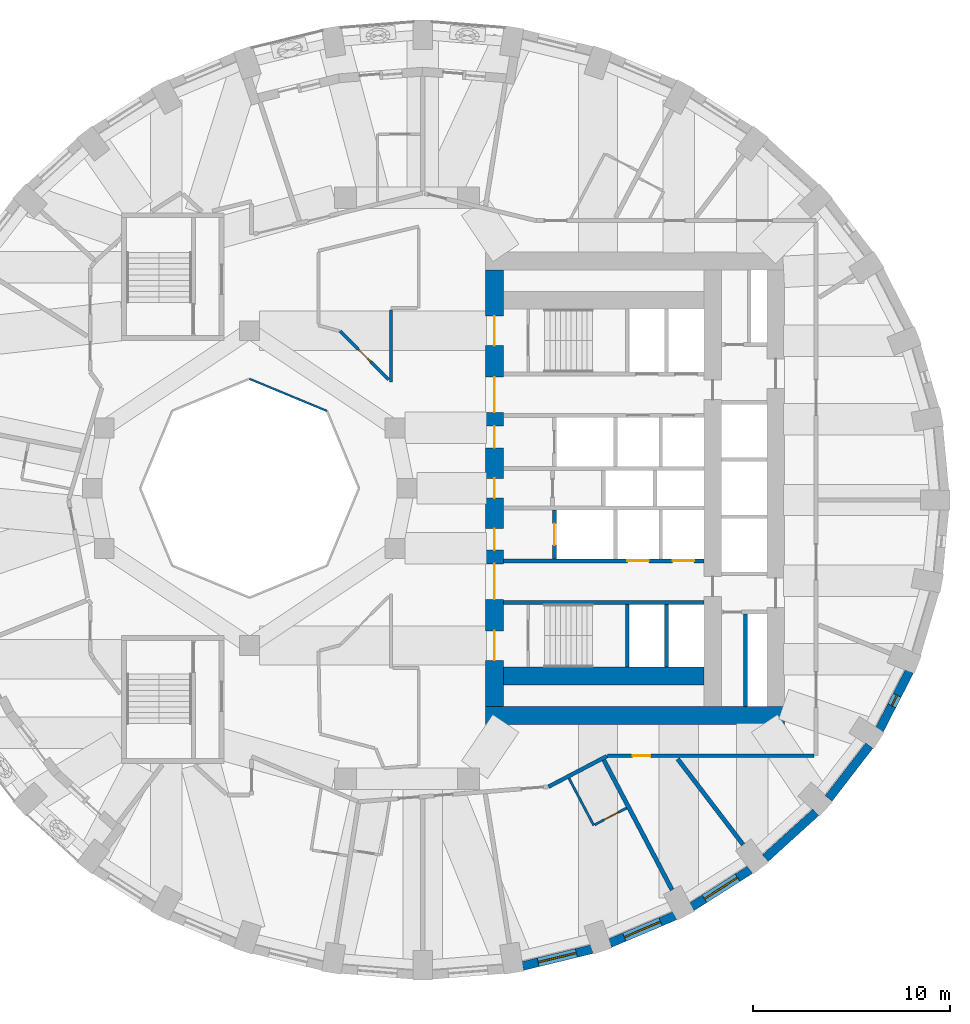
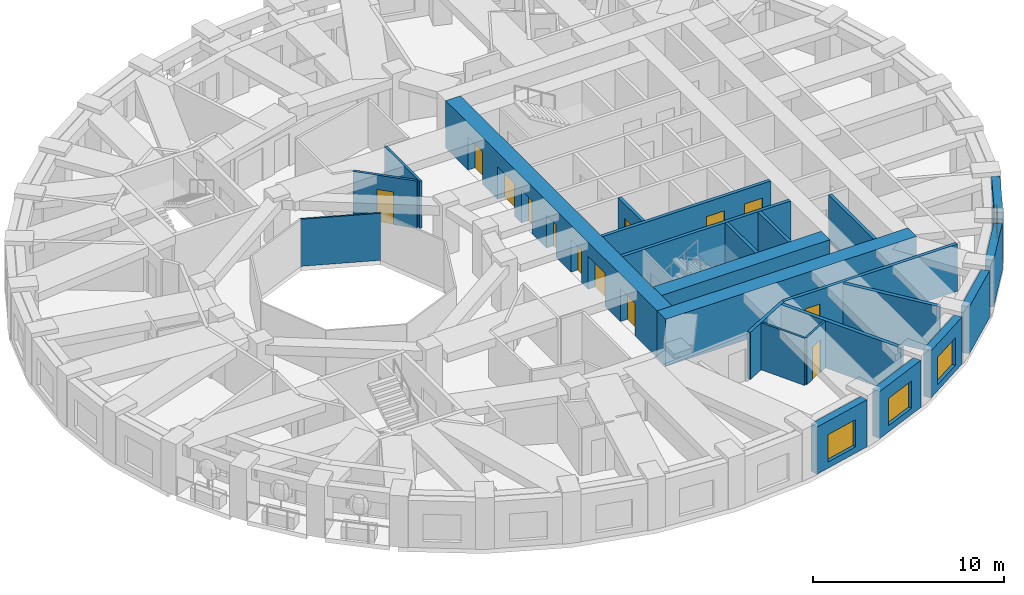
# One storey, part 5 of 12: 24 walls, 13 doors, 4 windows, 17 openings.
"""IFC4 building model written with IfcOpenShell, lengths in metres."""

from ifc_helpers import new_model, si_unit, direction, frame, frame_2d, origin, place, context, subcontext, project, spatial, rectangle, extrude, material, layer, layer_set, type_object, element, fill, save


model = new_model("IFC4")

# Units and contexts
model_context = context("Model", 3, precision=1e-05, world=origin(), true_north=direction((0.0, 1.0)))
body_context = subcontext(model_context, "Body", "Model", "MODEL_VIEW")
ifc_project = project(units=[si_unit("LENGTHUNIT", "METRE"), si_unit("AREAUNIT", "SQUARE_METRE"), si_unit("VOLUMEUNIT", "CUBIC_METRE"), si_unit("PLANEANGLEUNIT", "RADIAN"), si_unit("MASSUNIT", "GRAM", prefix="KILO")], contexts=[model_context])

# Site, building, storey
site_placement = place(None, origin())
site = spatial("IfcSite", under=ifc_project, at=site_placement, CompositionType="ELEMENT")
building_placement = place(site_placement, origin())
building = spatial("IfcBuilding", under=site, at=building_placement, Name="Taillehof Tower", CompositionType="ELEMENT")
storey_placement = place(building_placement, frame((0.0, 0.0, 95.5)))
storey = spatial("IfcBuildingStorey", under=building, at=storey_placement, Name="L26", CompositionType="ELEMENT", Elevation=95.5)

# Wall
ifc_material_1 = material(Name="Fire-resisting glass in steel frame", Category="steel")
ifc_layer_1 = layer(ifc_material_1, 0.10009765625)
ifc_layer_set_1 = layer_set([ifc_layer_1], Name="Atrium fire-resisting screen EI 60 100")
wall_type_1 = type_object("IfcWallType", Name="Atrium fire-resisting screen EI 60 100", PredefinedType="PARTITIONING", material=ifc_layer_set_1)
wall_1_placement = place(storey_placement, frame((-8.0, 5.55419921875, 0.0), z_axis=(0.0, 0.0, 1.0), x_axis=(0.923860025149, -0.382730523909, 0.0)))
element("IfcWall", 1, at=wall_1_placement, inside=storey, type_object=wall_type_1, Name="Atrium screen", PredefinedType="PARTITIONING", context=body_context, shape_type="SweptSolid", body=[
    extrude(rectangle(XDim=4.2509765625, YDim=0.10009765625, at=frame_2d((2.12548828125, 0.0))), origin(), (0.0, 0.0, 1.0), 3.02001953125),
])

# Wall, opening, window
ifc_material_2 = material(Name="Brick masonry", Category="masonry")
ifc_layer_2 = layer(ifc_material_2, 0.449951171875)
ifc_layer_set_2 = layer_set([ifc_layer_2], Name="Brick infill wall 450")
wall_type_2 = type_object("IfcWallType", Name="Brick infill wall 450", PredefinedType="SOLIDWALL", material=ifc_layer_set_2)
wall_2_placement = place(storey_placement, frame((5.87451171875, -24.29443359375, 0.0), z_axis=(0.0, 0.0, 1.0), x_axis=(0.971667603162, 0.236351579148, 0.0)))
wall_2 = element("IfcWall", 2, at=wall_2_placement, inside=storey, type_object=wall_type_2, Name="Brick wall L26 bay 29", PredefinedType="SOLIDWALL", context=body_context, shape_type="SweptSolid", body=[
    extrude(rectangle(XDim=3.635009765625, YDim=0.449951171875, at=frame_2d((1.8173828125, 0.0))), origin(), (0.0, 0.0, 1.0), 3.02001953125),
])
opening_1_placement = place(wall_2_placement, frame((0.8173828125, 0.0, 0.39990234375)))
opening_1 = element("IfcOpeningElement", 3, at=opening_1_placement, cuts=wall_2, Name="Opening W2", PredefinedType="OPENING", context=body_context, shape_type="SweptSolid", body=[
    extrude(rectangle(XDim=2.0, YDim=1.75, at=frame_2d((1.0, 0.875))), frame((0.0, 0.23486328125, 0.0), z_axis=(0.0, -1.0, 0.0), x_axis=(1.0, 0.0, 0.0)), (0.0, 0.0, 1.0), 0.469970703125),
])
ifc_material_3 = material(Name="Aluminium window frame with clear double glazing", Category="aluminium")
window_type_1 = type_object("IfcWindowType", Name="Deep-set window 2000x1750", PartitioningType="SINGLE_PANEL", PredefinedType="WINDOW", material=ifc_material_3)
window_1_placement = place(opening_1_placement, origin())
window_1 = element("IfcWindow", 4, at=window_1_placement, inside=storey, type_object=window_type_1, Name="W2", OverallHeight=1.75, OverallWidth=2.0, PartitioningType="SINGLE_PANEL", PredefinedType="WINDOW", context=body_context, shape_type="SweptSolid", body=[
    extrude(rectangle(XDim=2.0, YDim=1.75, at=frame_2d((1.0, 0.875))), frame((0.0, 0.034912109375, 0.0), z_axis=(0.0, -1.0, 0.0), x_axis=(1.0, 0.0, 0.0)), (0.0, 0.0, 1.0), 0.06005859375),
])
fill(opening_1, window_1)

wall_3_placement = place(storey_placement, frame((10.318115234375, -23.133544921875, 0.0), z_axis=(0.0, 0.0, 1.0), x_axis=(0.920869643542, 0.389870619055, 0.0)))
wall_3 = element("IfcWall", 5, at=wall_3_placement, inside=storey, type_object=wall_type_2, Name="Brick wall L26 bay 30", PredefinedType="SOLIDWALL", context=body_context, shape_type="SweptSolid", body=[
    extrude(rectangle(XDim=3.59130859375, YDim=0.449951171875, at=frame_2d((1.795654296875, 0.0))), origin(), (0.0, 0.0, 1.0), 3.02001953125),
])
opening_2_placement = place(wall_3_placement, frame((0.795654296875, 0.0, 0.39990234375)))
opening_2 = element("IfcOpeningElement", 6, at=opening_2_placement, cuts=wall_3, Name="Opening W2", PredefinedType="OPENING", context=body_context, shape_type="SweptSolid", body=[
    extrude(rectangle(XDim=2.0, YDim=1.75, at=frame_2d((1.0, 0.875))), frame((0.0, 0.23486328125, 0.0), z_axis=(0.0, -1.0, 0.0), x_axis=(1.0, 0.0, 0.0)), (0.0, 0.0, 1.0), 0.469970703125),
])
window_2_placement = place(opening_2_placement, origin())
window_2 = element("IfcWindow", 7, at=window_2_placement, inside=storey, type_object=window_type_1, Name="W2", OverallHeight=1.75, OverallWidth=2.0, PartitioningType="SINGLE_PANEL", PredefinedType="WINDOW", context=body_context, shape_type="SweptSolid", body=[
    extrude(rectangle(XDim=2.0, YDim=1.75, at=frame_2d((1.0, 0.875))), frame((0.0, 0.034912109375, 0.0), z_axis=(0.0, -1.0, 0.0), x_axis=(1.0, 0.0, 0.0)), (0.0, 0.0, 1.0), 0.06005859375),
])
fill(opening_2, window_2)

wall_4_placement = place(storey_placement, frame((14.475341796875, -21.287109375, 0.0), z_axis=(0.0, 0.0, 1.0), x_axis=(0.843911841423, 0.536481876587, 0.0)))
wall_4 = element("IfcWall", 8, at=wall_4_placement, inside=storey, type_object=wall_type_2, Name="Brick wall L26 bay 31", PredefinedType="SOLIDWALL", context=body_context, shape_type="SweptSolid", body=[
    extrude(rectangle(XDim=3.5322265625, YDim=0.449951171875, at=frame_2d((1.76611328125, 0.0))), origin(), (0.0, 0.0, 1.0), 3.02001953125),
])
opening_3_placement = place(wall_4_placement, frame((0.76611328125, 0.0, 0.39990234375)))
opening_3 = element("IfcOpeningElement", 9, at=opening_3_placement, cuts=wall_4, Name="Opening W2", PredefinedType="OPENING", context=body_context, shape_type="SweptSolid", body=[
    extrude(rectangle(XDim=2.0, YDim=1.75, at=frame_2d((1.0, 0.875))), frame((0.0, 0.23486328125, 0.0), z_axis=(0.0, -1.0, 0.0), x_axis=(1.0, 0.0, 0.0)), (0.0, 0.0, 1.0), 0.469970703125),
])
window_3_placement = place(opening_3_placement, origin())
window_3 = element("IfcWindow", 10, at=window_3_placement, inside=storey, type_object=window_type_1, Name="W2", OverallHeight=1.75, OverallWidth=2.0, PartitioningType="SINGLE_PANEL", PredefinedType="WINDOW", context=body_context, shape_type="SweptSolid", body=[
    extrude(rectangle(XDim=2.0, YDim=1.75, at=frame_2d((1.0, 0.875))), frame((0.0, 0.034912109375, 0.0), z_axis=(0.0, -1.0, 0.0), x_axis=(1.0, 0.0, 0.0)), (0.0, 0.0, 1.0), 0.06005859375),
])
fill(opening_3, window_3)

# Walls
wall_5_placement = place(storey_placement, frame((18.219482421875, -18.8095703125, 0.0), z_axis=(0.0, 0.0, 1.0), x_axis=(0.740364106106, 0.672206062446, 0.0)))
element("IfcWall", 11, at=wall_5_placement, inside=storey, type_object=wall_type_2, Name="Brick wall L26 bay 32", PredefinedType="SOLIDWALL", context=body_context, shape_type="SweptSolid", body=[
    extrude(rectangle(XDim=3.4638671875, YDim=0.449951171875, at=frame_2d((1.73193359375, 0.0))), origin(), (0.0, 0.0, 1.0), 3.02001953125),
])
wall_6_placement = place(storey_placement, frame((21.43505859375, -15.775390625, 0.0), z_axis=(0.0, 0.0, 1.0), x_axis=(0.610693945156, 0.791866721961, 0.0)))
element("IfcWall", 12, at=wall_6_placement, inside=storey, type_object=wall_type_2, Name="Brick wall L26 bay 33", PredefinedType="SOLIDWALL", context=body_context, shape_type="SweptSolid", body=[
    extrude(rectangle(XDim=3.39453125, YDim=0.449951171875, at=frame_2d((1.697265625, 0.0))), origin(), (0.0, 0.0, 1.0), 3.02001953125),
])

# Wall, opening, window
wall_7_placement = place(storey_placement, frame((24.022705078125, -12.27685546875, 0.0), z_axis=(0.0, 0.0, 1.0), x_axis=(0.456828186229, 0.889554949549, 0.0)))
wall_7 = element("IfcWall", 13, at=wall_7_placement, inside=storey, type_object=wall_type_2, Name="Brick wall L26 bay 34", PredefinedType="SOLIDWALL", context=body_context, shape_type="SweptSolid", body=[
    extrude(rectangle(XDim=3.332763671875, YDim=0.449951171875, at=frame_2d((1.66650390625, 0.0))), origin(), (0.0, 0.0, 1.0), 3.02001953125),
])
opening_4_placement = place(wall_7_placement, frame((1.366455078125, 0.0, 0.39990234375)))
opening_4 = element("IfcOpeningElement", 14, at=opening_4_placement, cuts=wall_7, Name="Opening W6", PredefinedType="OPENING", context=body_context, shape_type="SweptSolid", body=[
    extrude(rectangle(XDim=0.60009765625, YDim=1.75, at=frame_2d((0.300048828125, 0.875))), frame((0.0, 0.23486328125, 0.0), z_axis=(0.0, -1.0, 0.0), x_axis=(1.0, 0.0, 0.0)), (0.0, 0.0, 1.0), 0.469970703125),
])
ifc_material_4 = material(Name="Aluminium window frame with clear double glazing", Category="aluminium")
window_type_2 = type_object("IfcWindowType", Name="Slot window 600x1750", PartitioningType="SINGLE_PANEL", PredefinedType="WINDOW", material=ifc_material_4)
window_4_placement = place(opening_4_placement, origin())
window_4 = element("IfcWindow", 15, at=window_4_placement, inside=storey, type_object=window_type_2, Name="W6", OverallHeight=1.75, OverallWidth=0.60009765625, PartitioningType="SINGLE_PANEL", PredefinedType="WINDOW", context=body_context, shape_type="SweptSolid", body=[
    extrude(rectangle(XDim=0.60009765625, YDim=1.75, at=frame_2d((0.300048828125, 0.875))), frame((0.0, 0.034912109375, 0.0), z_axis=(0.0, -1.0, 0.0), x_axis=(1.0, 0.0, 0.0)), (0.0, 0.0, 1.0), 0.06005859375),
])
fill(opening_4, window_4)

# Wall
ifc_material_5 = material(Name="Calcium silicate masonry", Category="masonry")
ifc_layer_3 = layer(ifc_material_5, 0.199951171875)
ifc_layer_set_3 = layer_set([ifc_layer_3], Name="Compartment wall calcium silicate 200")
wall_type_3 = type_object("IfcWallType", Name="Compartment wall calcium silicate 200", PredefinedType="PARTITIONING", material=ifc_layer_set_3)
wall_8_placement = place(storey_placement, frame((17.199951171875, -11.10009765625, 0.0), z_axis=(0.0, 0.0, 1.0), x_axis=(0.0, 1.0, 0.0)))
element("IfcWall", 16, at=wall_8_placement, inside=storey, type_object=wall_type_3, Name="Compartment wall FW", PredefinedType="PARTITIONING", context=body_context, shape_type="SweptSolid", body=[
    extrude(rectangle(XDim=4.7001953125, YDim=0.199951171875, at=frame_2d((2.35009765625, 0.0))), origin(), (0.0, 0.0, 1.0), 3.02001953125),
])

# Wall, opening, door
ifc_material_6 = material(Name="Gypsum board on steel studs, two layers each side", Category="steel")
ifc_layer_4 = layer(ifc_material_6, 0.199951171875)
ifc_layer_set_4 = layer_set([ifc_layer_4], Name="Compartment wall corridor 200")
wall_type_4 = type_object("IfcWallType", Name="Compartment wall corridor 200", PredefinedType="PARTITIONING", material=ifc_layer_set_4)
wall_9_placement = place(storey_placement, frame((20.699951171875, -13.60009765625, 0.0), z_axis=(0.0, 0.0, 1.0), x_axis=(-1.0, 0.0, 0.0)))
wall_9 = element("IfcWall", 17, at=wall_9_placement, inside=storey, type_object=wall_type_4, Name="Compartment wall", PredefinedType="PARTITIONING", context=body_context, shape_type="SweptSolid", body=[
    extrude(rectangle(XDim=10.49755859375, YDim=0.199951171875, at=frame_2d((5.248779296875, 0.0))), origin(), (0.0, 0.0, 1.0), 3.02001953125),
])
opening_5_placement = place(wall_9_placement, frame((8.32470703125, 0.0, 0.0)))
opening_5 = element("IfcOpeningElement", 18, at=opening_5_placement, cuts=wall_9, Name="Opening D2660", PredefinedType="OPENING", context=body_context, shape_type="SweptSolid", body=[
    extrude(rectangle(XDim=0.89990234375, YDim=2.10009765625, at=frame_2d((0.449951171875, 1.050048828125))), frame((0.0, 0.10986328125, 0.0), z_axis=(0.0, -1.0, 0.0), x_axis=(1.0, 0.0, 0.0)), (0.0, 0.0, 1.0), 0.219970703125),
])
ifc_material_7 = material(Name="Timber door leaf in steel frame", Category="steel")
door_type_1 = type_object("IfcDoorType", Name="Service room door EI 30 900 x 2100", OperationType="SINGLE_SWING_LEFT", PredefinedType="DOOR", material=ifc_material_7)
door_1_placement = place(opening_5_placement, origin())
door_1 = element("IfcDoor", 19, at=door_1_placement, inside=storey, type_object=door_type_1, Name="D2660", OperationType="SINGLE_SWING_RIGHT", OverallHeight=2.10009765625, OverallWidth=0.89990234375, PredefinedType="DOOR", context=body_context, shape_type="SweptSolid", body=[
    extrude(rectangle(XDim=0.89990234375, YDim=2.10009765625, at=frame_2d((0.449951171875, 1.050048828125))), frame((0.0, 0.02490234375, 0.0), z_axis=(0.0, -1.0, 0.0), x_axis=(1.0, 0.0, 0.0)), (0.0, 0.0, 1.0), 0.050048828125),
])
fill(opening_5, door_1)

# Walls
wall_10_placement = place(storey_placement, frame((10.166748046875, -13.61865234375, 0.0), z_axis=(0.0, 0.0, 1.0), x_axis=(-0.885637584774, -0.4643770757, 0.0)))
element("IfcWall", 20, at=wall_10_placement, inside=storey, type_object=wall_type_4, Name="Compartment wall", PredefinedType="PARTITIONING", context=body_context, shape_type="SweptSolid", body=[
    extrude(rectangle(XDim=3.35205078125, YDim=0.199951171875, at=frame_2d((1.676025390625, 0.0))), origin(), (0.0, 0.0, 1.0), 3.02001953125),
])
ifc_material_8 = material(Name="Gypsum board on double steel studs with mineral wool", Category="steel")
ifc_layer_5 = layer(ifc_material_8, 0.219970703125)
ifc_layer_set_5 = layer_set([ifc_layer_5], Name="Compartment wall guest room 220")
wall_type_5 = type_object("IfcWallType", Name="Compartment wall guest room 220", PredefinedType="PARTITIONING", material=ifc_layer_set_5)
wall_11_placement = place(storey_placement, frame((13.47607421875, -20.417724609375, 0.0), z_axis=(0.0, 0.0, 1.0), x_axis=(-0.465295750937, 0.885155276864, 0.0)))
element("IfcWall", 21, at=wall_11_placement, inside=storey, type_object=wall_type_5, Name="Compartment wall", PredefinedType="PARTITIONING", context=body_context, shape_type="SweptSolid", body=[
    extrude(rectangle(XDim=7.4580078125, YDim=0.219970703125, at=frame_2d((3.72900390625, 0.0))), origin(), (0.0, 0.0, 1.0), 3.02001953125),
])
wall_12_placement = place(storey_placement, frame((17.08935546875, -18.120849609375, 0.0), z_axis=(0.0, 0.0, 1.0), x_axis=(-0.607064955951, 0.794652212767, 0.0)))
element("IfcWall", 22, at=wall_12_placement, inside=storey, type_object=wall_type_5, Name="Compartment wall", PredefinedType="PARTITIONING", context=body_context, shape_type="SweptSolid", body=[
    extrude(rectangle(XDim=5.483154296875, YDim=0.219970703125, at=frame_2d((2.74169921875, 0.0))), origin(), (0.0, 0.0, 1.0), 3.02001953125),
])
ifc_material_9 = material(Name="Gypsum board on steel studs, two layers each side", Category="steel")
ifc_layer_6 = layer(ifc_material_9, 0.14990234375)
ifc_layer_set_6 = layer_set([ifc_layer_6], Name="Compartment wall service room 150")
wall_type_6 = type_object("IfcWallType", Name="Compartment wall service room 150", PredefinedType="PARTITIONING", material=ifc_layer_set_6)
wall_13_placement = place(storey_placement, frame((-0.800048828125, 9.06982421875, 0.0), z_axis=(0.0, 0.0, 1.0), x_axis=(0.0, -1.0, 0.0)))
element("IfcWall", 23, at=wall_13_placement, inside=storey, type_object=wall_type_6, Name="Compartment wall", PredefinedType="PARTITIONING", context=body_context, shape_type="SweptSolid", body=[
    extrude(rectangle(XDim=3.683349609375, YDim=0.14990234375, at=frame_2d((1.841796875, 0.0))), origin(), (0.0, 0.0, 1.0), 3.02001953125),
])

# Wall, opening, door
wall_14_placement = place(storey_placement, frame((-0.927490234375, 5.513916015625, 0.0), z_axis=(0.0, 0.0, 1.0), x_axis=(-0.707106781187, 0.707106781187, 0.0)))
wall_14 = element("IfcWall", 24, at=wall_14_placement, inside=storey, type_object=wall_type_6, Name="Compartment wall", PredefinedType="PARTITIONING", context=body_context, shape_type="SweptSolid", body=[
    extrude(rectangle(XDim=3.48681640625, YDim=0.14990234375, at=frame_2d((1.743408203125, 0.0))), origin(), (0.0, 0.0, 1.0), 3.02001953125),
])
opening_6_placement = place(wall_14_placement, frame((1.29345703125, 0.0, 0.0)))
opening_6 = element("IfcOpeningElement", 25, at=opening_6_placement, cuts=wall_14, Name="Opening D2665", PredefinedType="OPENING", context=body_context, shape_type="SweptSolid", body=[
    extrude(rectangle(XDim=0.89990234375, YDim=2.10009765625, at=frame_2d((0.449951171875, 1.050048828125))), frame((0.0, 0.0849609375, 0.0), z_axis=(0.0, -1.0, 0.0), x_axis=(1.0, 0.0, 0.0)), (0.0, 0.0, 1.0), 0.169921875),
])
door_2_placement = place(opening_6_placement, origin())
door_2 = element("IfcDoor", 26, at=door_2_placement, inside=storey, type_object=door_type_1, Name="D2665", OperationType="SINGLE_SWING_RIGHT", OverallHeight=2.10009765625, OverallWidth=0.89990234375, PredefinedType="DOOR", context=body_context, shape_type="SweptSolid", body=[
    extrude(rectangle(XDim=0.89990234375, YDim=2.10009765625, at=frame_2d((0.449951171875, 1.050048828125))), frame((0.0, 0.02490234375, 0.0), z_axis=(0.0, -1.0, 0.0), x_axis=(1.0, 0.0, 0.0)), (0.0, 0.0, 1.0), 0.050048828125),
])
fill(opening_6, door_2)

# Wall, openings, doors
ifc_material_10 = material(Name="Concrete C80/95", Category="concrete")
ifc_layer_7 = layer(ifc_material_10, 0.89990234375)
ifc_layer_set_7 = layer_set([ifc_layer_7], Name="Core wall C80/95 900")
wall_type_7 = type_object("IfcWallType", Name="Core wall C80/95 900", PredefinedType="SHEAR", material=ifc_layer_set_7)
wall_15_placement = place(storey_placement, frame((4.449951171875, -11.10009765625, 0.0), z_axis=(0.0, 0.0, 1.0), x_axis=(0.0, 1.0, 0.0)))
wall_15 = element("IfcWall", 27, at=wall_15_placement, inside=storey, type_object=wall_type_7, Name="Core wall CW01", PredefinedType="SHEAR", context=body_context, shape_type="SweptSolid", body=[
    extrude(rectangle(XDim=22.2001953125, YDim=0.89990234375, at=frame_2d((11.10009765625, 0.0))), origin(), (0.0, 0.0, 1.0), 3.02001953125),
])
opening_7_placement = place(wall_15_placement, frame((2.35009765625, 0.0, 0.0)))
opening_7 = element("IfcOpeningElement", 28, at=opening_7_placement, cuts=wall_15, Name="Opening D2601", PredefinedType="OPENING", context=body_context, shape_type="SweptSolid", body=[
    extrude(rectangle(XDim=1.5, YDim=2.10009765625, at=frame_2d((0.75, 1.050048828125))), frame((0.0, 0.4599609375, 0.0), z_axis=(0.0, -1.0, 0.0), x_axis=(1.0, 0.0, 0.0)), (0.0, 0.0, 1.0), 0.919921875),
])
opening_8_placement = place(wall_15_placement, frame((5.449951171875, 0.0, 0.0)))
opening_8 = element("IfcOpeningElement", 29, at=opening_8_placement, cuts=wall_15, Name="Opening D2602", PredefinedType="OPENING", context=body_context, shape_type="SweptSolid", body=[
    extrude(rectangle(XDim=1.800048828125, YDim=2.10009765625, at=frame_2d((0.89990234375, 1.050048828125))), frame((0.0, 0.4599609375, 0.0), z_axis=(0.0, -1.0, 0.0), x_axis=(1.0, 0.0, 0.0)), (0.0, 0.0, 1.0), 0.919921875),
])
opening_9_placement = place(wall_15_placement, frame((7.949951171875, 0.0, 0.0)))
opening_9 = element("IfcOpeningElement", 30, at=opening_9_placement, cuts=wall_15, Name="Opening D2603", PredefinedType="OPENING", context=body_context, shape_type="SweptSolid", body=[
    extrude(rectangle(XDim=1.10009765625, YDim=2.10009765625, at=frame_2d((0.550048828125, 1.050048828125))), frame((0.0, 0.4599609375, 0.0), z_axis=(0.0, -1.0, 0.0), x_axis=(1.0, 0.0, 0.0)), (0.0, 0.0, 1.0), 0.919921875),
])
opening_10_placement = place(wall_15_placement, frame((10.60009765625, 0.0, 0.0)))
opening_10 = element("IfcOpeningElement", 31, at=opening_10_placement, cuts=wall_15, Name="Opening D2604", PredefinedType="OPENING", context=body_context, shape_type="SweptSolid", body=[
    extrude(rectangle(XDim=1.0, YDim=2.10009765625, at=frame_2d((0.5, 1.050048828125))), frame((0.0, 0.4599609375, 0.0), z_axis=(0.0, -1.0, 0.0), x_axis=(1.0, 0.0, 0.0)), (0.0, 0.0, 1.0), 0.919921875),
])
opening_11_placement = place(wall_15_placement, frame((13.14990234375, 0.0, 0.0)))
opening_11 = element("IfcOpeningElement", 32, at=opening_11_placement, cuts=wall_15, Name="Opening D2605", PredefinedType="OPENING", context=body_context, shape_type="SweptSolid", body=[
    extrude(rectangle(XDim=1.10009765625, YDim=2.10009765625, at=frame_2d((0.550048828125, 1.050048828125))), frame((0.0, 0.4599609375, 0.0), z_axis=(0.0, -1.0, 0.0), x_axis=(1.0, 0.0, 0.0)), (0.0, 0.0, 1.0), 0.919921875),
])
opening_12_placement = place(wall_15_placement, frame((14.949951171875, 0.0, 0.0)))
opening_12 = element("IfcOpeningElement", 33, at=opening_12_placement, cuts=wall_15, Name="Opening D2606", PredefinedType="OPENING", context=body_context, shape_type="SweptSolid", body=[
    extrude(rectangle(XDim=1.800048828125, YDim=2.10009765625, at=frame_2d((0.89990234375, 1.050048828125))), frame((0.0, 0.4599609375, 0.0), z_axis=(0.0, -1.0, 0.0), x_axis=(1.0, 0.0, 0.0)), (0.0, 0.0, 1.0), 0.919921875),
])
opening_13_placement = place(wall_15_placement, frame((18.35009765625, 0.0, 0.0)))
opening_13 = element("IfcOpeningElement", 34, at=opening_13_placement, cuts=wall_15, Name="Opening D2607", PredefinedType="OPENING", context=body_context, shape_type="SweptSolid", body=[
    extrude(rectangle(XDim=1.5, YDim=2.10009765625, at=frame_2d((0.75, 1.050048828125))), frame((0.0, 0.4599609375, 0.0), z_axis=(0.0, -1.0, 0.0), x_axis=(1.0, 0.0, 0.0)), (0.0, 0.0, 1.0), 0.919921875),
])
ifc_material_11 = material(Name="Steel-faced fire door", Category="steel")
door_type_2 = type_object("IfcDoorType", Name="Firefighting lobby door 1100x2100", OperationType="SINGLE_SWING_RIGHT", PredefinedType="DOOR", material=ifc_material_11)
door_3_placement = place(opening_9_placement, origin())
door_3 = element("IfcDoor", 35, at=door_3_placement, inside=storey, type_object=door_type_2, Name="Firefighting lobby door FFL-S", OperationType="SINGLE_SWING_RIGHT", OverallHeight=2.10009765625, OverallWidth=1.10009765625, PredefinedType="DOOR", context=body_context, shape_type="SweptSolid", body=[
    extrude(rectangle(XDim=1.10009765625, YDim=2.10009765625, at=frame_2d((0.550048828125, 1.050048828125))), frame((0.0, 0.02490234375, 0.0), z_axis=(0.0, -1.0, 0.0), x_axis=(1.0, 0.0, 0.0)), (0.0, 0.0, 1.0), 0.050048828125),
])
fill(opening_9, door_3)
door_4_placement = place(opening_11_placement, origin())
door_4 = element("IfcDoor", 36, at=door_4_placement, inside=storey, type_object=door_type_2, Name="Firefighting lobby door FFL-N", OperationType="SINGLE_SWING_LEFT", OverallHeight=2.10009765625, OverallWidth=1.10009765625, PredefinedType="DOOR", context=body_context, shape_type="SweptSolid", body=[
    extrude(rectangle(XDim=1.10009765625, YDim=2.10009765625, at=frame_2d((0.550048828125, 1.050048828125))), frame((0.0, 0.02490234375, 0.0), z_axis=(0.0, -1.0, 0.0), x_axis=(1.0, 0.0, 0.0)), (0.0, 0.0, 1.0), 0.050048828125),
])
fill(opening_11, door_4)
ifc_material_12 = material(Name="Steel-faced fire door", Category="steel")
door_type_3 = type_object("IfcDoorType", Name="Lift lobby door 1800x2100", OperationType="DOUBLE_DOOR_SINGLE_SWING", PredefinedType="DOOR", material=ifc_material_12)
door_5_placement = place(opening_8_placement, origin())
door_5 = element("IfcDoor", 37, at=door_5_placement, inside=storey, type_object=door_type_3, Name="Lift lobby door LL-S", OperationType="DOUBLE_DOOR_SINGLE_SWING", OverallHeight=2.10009765625, OverallWidth=1.800048828125, PredefinedType="DOOR", context=body_context, shape_type="SweptSolid", body=[
    extrude(rectangle(XDim=1.800048828125, YDim=2.10009765625, at=frame_2d((0.89990234375, 1.050048828125))), frame((0.0, 0.02490234375, 0.0), z_axis=(0.0, -1.0, 0.0), x_axis=(1.0, 0.0, 0.0)), (0.0, 0.0, 1.0), 0.050048828125),
])
fill(opening_8, door_5)
door_6_placement = place(opening_12_placement, origin())
door_6 = element("IfcDoor", 38, at=door_6_placement, inside=storey, type_object=door_type_3, Name="Lift lobby door LL-N", OperationType="DOUBLE_DOOR_SINGLE_SWING", OverallHeight=2.10009765625, OverallWidth=1.800048828125, PredefinedType="DOOR", context=body_context, shape_type="SweptSolid", body=[
    extrude(rectangle(XDim=1.800048828125, YDim=2.10009765625, at=frame_2d((0.89990234375, 1.050048828125))), frame((0.0, 0.02490234375, 0.0), z_axis=(0.0, -1.0, 0.0), x_axis=(1.0, 0.0, 0.0)), (0.0, 0.0, 1.0), 0.050048828125),
])
fill(opening_12, door_6)
ifc_material_13 = material(Name="Steel-faced fire door", Category="steel")
door_type_4 = type_object("IfcDoorType", Name="Service door 1000x2100", OperationType="SINGLE_SWING_RIGHT", PredefinedType="DOOR", material=ifc_material_13)
door_7_placement = place(opening_10_placement, origin())
door_7 = element("IfcDoor", 39, at=door_7_placement, inside=storey, type_object=door_type_4, Name="Service door SV", OperationType="SINGLE_SWING_RIGHT", OverallHeight=2.10009765625, OverallWidth=1.0, PredefinedType="DOOR", context=body_context, shape_type="SweptSolid", body=[
    extrude(rectangle(XDim=1.0, YDim=2.10009765625, at=frame_2d((0.5, 1.050048828125))), frame((0.0, 0.02490234375, 0.0), z_axis=(0.0, -1.0, 0.0), x_axis=(1.0, 0.0, 0.0)), (0.0, 0.0, 1.0), 0.050048828125),
])
fill(opening_10, door_7)
ifc_material_14 = material(Name="Steel-faced fire door", Category="steel")
door_type_5 = type_object("IfcDoorType", Name="Stair door 1500x2100", OperationType="DOUBLE_DOOR_SINGLE_SWING", PredefinedType="DOOR", material=ifc_material_14)
door_8_placement = place(opening_7_placement, origin())
door_8 = element("IfcDoor", 40, at=door_8_placement, inside=storey, type_object=door_type_5, Name="Stair door S2", OperationType="DOUBLE_DOOR_SINGLE_SWING", OverallHeight=2.10009765625, OverallWidth=1.5, PredefinedType="DOOR", context=body_context, shape_type="SweptSolid", body=[
    extrude(rectangle(XDim=1.5, YDim=2.10009765625, at=frame_2d((0.75, 1.050048828125))), frame((0.0, 0.02490234375, 0.0), z_axis=(0.0, -1.0, 0.0), x_axis=(1.0, 0.0, 0.0)), (0.0, 0.0, 1.0), 0.050048828125),
])
fill(opening_7, door_8)
door_9_placement = place(opening_13_placement, origin())
door_9 = element("IfcDoor", 41, at=door_9_placement, inside=storey, type_object=door_type_5, Name="Stair door S1", OperationType="DOUBLE_DOOR_SINGLE_SWING", OverallHeight=2.10009765625, OverallWidth=1.5, PredefinedType="DOOR", context=body_context, shape_type="SweptSolid", body=[
    extrude(rectangle(XDim=1.5, YDim=2.10009765625, at=frame_2d((0.75, 1.050048828125))), frame((0.0, 0.02490234375, 0.0), z_axis=(0.0, -1.0, 0.0), x_axis=(1.0, 0.0, 0.0)), (0.0, 0.0, 1.0), 0.050048828125),
])
fill(opening_13, door_9)

# Walls
wall_16_placement = place(storey_placement, frame((4.0, -11.550048828125, 0.0), z_axis=(0.0, 0.0, 1.0), x_axis=(1.0, 0.0, 0.0)))
element("IfcWall", 42, at=wall_16_placement, inside=storey, type_object=wall_type_7, Name="Core wall CW04", PredefinedType="SHEAR", context=body_context, shape_type="SweptSolid", body=[
    extrude(rectangle(XDim=15.199951171875, YDim=0.89990234375, at=frame_2d((7.60009765625, 0.0))), origin(), (0.0, 0.0, 1.0), 3.02001953125),
])
wall_17_placement = place(storey_placement, frame((4.89990234375, -9.550048828125, 0.0), z_axis=(0.0, 0.0, 1.0), x_axis=(1.0, 0.0, 0.0)))
element("IfcWall", 43, at=wall_17_placement, inside=storey, type_object=wall_type_7, Name="Core wall CW07", PredefinedType="SHEAR", context=body_context, shape_type="SweptSolid", body=[
    extrude(rectangle(XDim=10.2001953125, YDim=0.89990234375, at=frame_2d((5.10009765625, 0.0))), origin(), (0.0, 0.0, 1.0), 3.02001953125),
])
ifc_material_15 = material(Name="Gypsum board on steel studs, moisture resistant", Category="steel")
ifc_layer_8 = layer(ifc_material_15, 0.1201171875)
ifc_layer_set_8 = layer_set([ifc_layer_8], Name="En-suite wall 120")
wall_type_8 = type_object("IfcWallType", Name="En-suite wall 120", PredefinedType="PARTITIONING", material=ifc_layer_set_8)
wall_18_placement = place(storey_placement, frame((8.234619140625, -14.744873046875, 0.0), z_axis=(0.0, 0.0, 1.0), x_axis=(0.46526594455, -0.885170944418, 0.0)))
element("IfcWall", 44, at=wall_18_placement, inside=storey, type_object=wall_type_8, Name="En-suite wall", PredefinedType="PARTITIONING", context=body_context, shape_type="SweptSolid", body=[
    extrude(rectangle(XDim=2.701904296875, YDim=0.1201171875, at=frame_2d((1.35107421875, 0.0))), origin(), (0.0, 0.0, 1.0), 3.02001953125),
])

# Wall, opening, door
wall_19_placement = place(storey_placement, frame((9.544921875, -17.108642578125, 0.0), z_axis=(0.0, 0.0, 1.0), x_axis=(0.885143836671, 0.465317513536, 0.0)))
wall_19 = element("IfcWall", 45, at=wall_19_placement, inside=storey, type_object=wall_type_8, Name="En-suite wall", PredefinedType="PARTITIONING", context=body_context, shape_type="SweptSolid", body=[
    extrude(rectangle(XDim=1.830078125, YDim=0.1201171875, at=frame_2d((0.9150390625, 0.0))), origin(), (0.0, 0.0, 1.0), 3.02001953125),
])
opening_14_placement = place(wall_19_placement, frame((0.5400390625, 0.0, 0.0)))
opening_14 = element("IfcOpeningElement", 46, at=opening_14_placement, cuts=wall_19, Name="Opening D2659", PredefinedType="OPENING", context=body_context, shape_type="SweptSolid", body=[
    extrude(rectangle(XDim=0.800048828125, YDim=2.10009765625, at=frame_2d((0.39990234375, 1.050048828125))), frame((0.0, 0.070068359375, 0.0), z_axis=(0.0, -1.0, 0.0), x_axis=(1.0, 0.0, 0.0)), (0.0, 0.0, 1.0), 0.14013671875),
])
ifc_material_16 = material(Name="Timber door leaf in steel frame", Category="steel")
door_type_6 = type_object("IfcDoorType", Name="En-suite door 800 x 2100", OperationType="SINGLE_SWING_LEFT", PredefinedType="DOOR", material=ifc_material_16)
door_10_placement = place(opening_14_placement, origin())
door_10 = element("IfcDoor", 47, at=door_10_placement, inside=storey, type_object=door_type_6, Name="D2659", OperationType="SINGLE_SWING_LEFT", OverallHeight=2.10009765625, OverallWidth=0.800048828125, PredefinedType="DOOR", context=body_context, shape_type="SweptSolid", body=[
    extrude(rectangle(XDim=0.800048828125, YDim=2.10009765625, at=frame_2d((0.39990234375, 1.050048828125))), frame((0.0, 0.02490234375, 0.0), z_axis=(0.0, -1.0, 0.0), x_axis=(1.0, 0.0, 0.0)), (0.0, 0.0, 1.0), 0.050048828125),
])
fill(opening_14, door_10)

# Wall, openings, doors
ifc_material_17 = material(Name="Concrete C50/60", Category="concrete")
ifc_layer_9 = layer(ifc_material_17, 0.199951171875)
ifc_layer_set_9 = layer_set([ifc_layer_9], Name="Shaft wall C50/60 200")
wall_type_9 = type_object("IfcWallType", Name="Shaft wall C50/60 200", PredefinedType="SHEAR", material=ifc_layer_set_9)
wall_20_placement = place(storey_placement, frame((4.89990234375, -3.699951171875, 0.0), z_axis=(0.0, 0.0, 1.0), x_axis=(1.0, 0.0, 0.0)))
wall_20 = element("IfcWall", 48, at=wall_20_placement, inside=storey, type_object=wall_type_9, Name="Shaft wall SW", PredefinedType="SHEAR", context=body_context, shape_type="SweptSolid", body=[
    extrude(rectangle(XDim=10.2001953125, YDim=0.199951171875, at=frame_2d((5.10009765625, 0.0))), origin(), (0.0, 0.0, 1.0), 3.02001953125),
])
opening_15_placement = place(wall_20_placement, frame((6.300048828125, 0.0, 0.0)))
opening_15 = element("IfcOpeningElement", 49, at=opening_15_placement, cuts=wall_20, Name="Opening LD1", PredefinedType="OPENING", context=body_context, shape_type="SweptSolid", body=[
    extrude(rectangle(XDim=1.10009765625, YDim=2.10009765625, at=frame_2d((0.550048828125, 1.050048828125))), frame((0.0, 0.10986328125, 0.0), z_axis=(0.0, -1.0, 0.0), x_axis=(1.0, 0.0, 0.0)), (0.0, 0.0, 1.0), 0.219970703125),
])
opening_16_placement = place(wall_20_placement, frame((8.60009765625, 0.0, 0.0)))
opening_16 = element("IfcOpeningElement", 50, at=opening_16_placement, cuts=wall_20, Name="Opening LD1", PredefinedType="OPENING", context=body_context, shape_type="SweptSolid", body=[
    extrude(rectangle(XDim=1.10009765625, YDim=2.10009765625, at=frame_2d((0.550048828125, 1.050048828125))), frame((0.0, 0.10986328125, 0.0), z_axis=(0.0, -1.0, 0.0), x_axis=(1.0, 0.0, 0.0)), (0.0, 0.0, 1.0), 0.219970703125),
])
ifc_material_18 = material(Name="Stainless steel", Category="steel")
door_type_7 = type_object("IfcDoorType", Name="Lift landing door LD1 1100x2100", OperationType="DOUBLE_DOOR_SLIDING", PredefinedType="DOOR", material=ifc_material_18)
door_11_placement = place(opening_15_placement, origin())
door_11 = element("IfcDoor", 51, at=door_11_placement, inside=storey, type_object=door_type_7, Name="Landing door LR5", OperationType="DOUBLE_DOOR_SLIDING", OverallHeight=2.10009765625, OverallWidth=1.10009765625, PredefinedType="DOOR", context=body_context, shape_type="SweptSolid", body=[
    extrude(rectangle(XDim=1.10009765625, YDim=2.10009765625, at=frame_2d((0.550048828125, 1.050048828125))), frame((0.0, 0.02490234375, 0.0), z_axis=(0.0, -1.0, 0.0), x_axis=(1.0, 0.0, 0.0)), (0.0, 0.0, 1.0), 0.050048828125),
])
fill(opening_15, door_11)
door_12_placement = place(opening_16_placement, origin())
door_12 = element("IfcDoor", 52, at=door_12_placement, inside=storey, type_object=door_type_7, Name="Landing door LR6", OperationType="DOUBLE_DOOR_SLIDING", OverallHeight=2.10009765625, OverallWidth=1.10009765625, PredefinedType="DOOR", context=body_context, shape_type="SweptSolid", body=[
    extrude(rectangle(XDim=1.10009765625, YDim=2.10009765625, at=frame_2d((0.550048828125, 1.050048828125))), frame((0.0, 0.02490234375, 0.0), z_axis=(0.0, -1.0, 0.0), x_axis=(1.0, 0.0, 0.0)), (0.0, 0.0, 1.0), 0.050048828125),
])
fill(opening_16, door_12)

# Walls
wall_21_placement = place(storey_placement, frame((4.89990234375, -5.800048828125, 0.0), z_axis=(0.0, 0.0, 1.0), x_axis=(1.0, 0.0, 0.0)))
element("IfcWall", 53, at=wall_21_placement, inside=storey, type_object=wall_type_9, Name="Shaft wall SW", PredefinedType="SHEAR", context=body_context, shape_type="SweptSolid", body=[
    extrude(rectangle(XDim=10.2001953125, YDim=0.199951171875, at=frame_2d((5.10009765625, 0.0))), origin(), (0.0, 0.0, 1.0), 3.02001953125),
])
for number, where, z_axis, x_axis, name in (
    (54, (11.199951171875, -9.10009765625, 0.0), (0.0, 0.0, 1.0), (0.0, 1.0, 0.0), "Shaft wall SW"),
    (55, (13.199951171875, -9.10009765625, 0.0), (0.0, 0.0, 1.0), (0.0, 1.0, 0.0), "Shaft wall SW"),
):
    element("IfcWall", number, at=place(storey_placement, frame(where, z_axis=z_axis, x_axis=x_axis)), inside=storey, type_object=wall_type_9, Name=name, PredefinedType="SHEAR", context=body_context, shape_type="SweptSolid", body=[
        extrude(rectangle(XDim=3.2001953125, YDim=0.199951171875, at=frame_2d((1.60009765625, 0.0))), origin(), (0.0, 0.0, 1.0), 3.02001953125),
    ])

# Wall, opening, door
wall_22_placement = place(storey_placement, frame((7.5, -3.60009765625, 0.0), z_axis=(0.0, 0.0, 1.0), x_axis=(0.0, 1.0, 0.0)))
wall_22 = element("IfcWall", 56, at=wall_22_placement, inside=storey, type_object=wall_type_9, Name="Shaft wall SW", PredefinedType="SHEAR", context=body_context, shape_type="SweptSolid", body=[
    extrude(rectangle(XDim=2.5, YDim=0.199951171875, at=frame_2d((1.25, 0.0))), origin(), (0.0, 0.0, 1.0), 3.02001953125),
])
opening_17_placement = place(wall_22_placement, frame((0.699951171875, 0.0, 0.0)))
opening_17 = element("IfcOpeningElement", 57, at=opening_17_placement, cuts=wall_22, Name="Opening LD1", PredefinedType="OPENING", context=body_context, shape_type="SweptSolid", body=[
    extrude(rectangle(XDim=1.10009765625, YDim=2.10009765625, at=frame_2d((0.550048828125, 1.050048828125))), frame((0.0, 0.10986328125, 0.0), z_axis=(0.0, -1.0, 0.0), x_axis=(1.0, 0.0, 0.0)), (0.0, 0.0, 1.0), 0.219970703125),
])
door_13_placement = place(opening_17_placement, origin())
door_13 = element("IfcDoor", 58, at=door_13_placement, inside=storey, type_object=door_type_7, Name="Landing door FF2", OperationType="DOUBLE_DOOR_SLIDING", OverallHeight=2.10009765625, OverallWidth=1.10009765625, PredefinedType="DOOR", context=body_context, shape_type="SweptSolid", body=[
    extrude(rectangle(XDim=1.10009765625, YDim=2.10009765625, at=frame_2d((0.550048828125, 1.050048828125))), frame((0.0, 0.02490234375, 0.0), z_axis=(0.0, -1.0, 0.0), x_axis=(1.0, 0.0, 0.0)), (0.0, 0.0, 1.0), 0.050048828125),
])
fill(opening_17, door_13)

save(model, "model.ifc")
